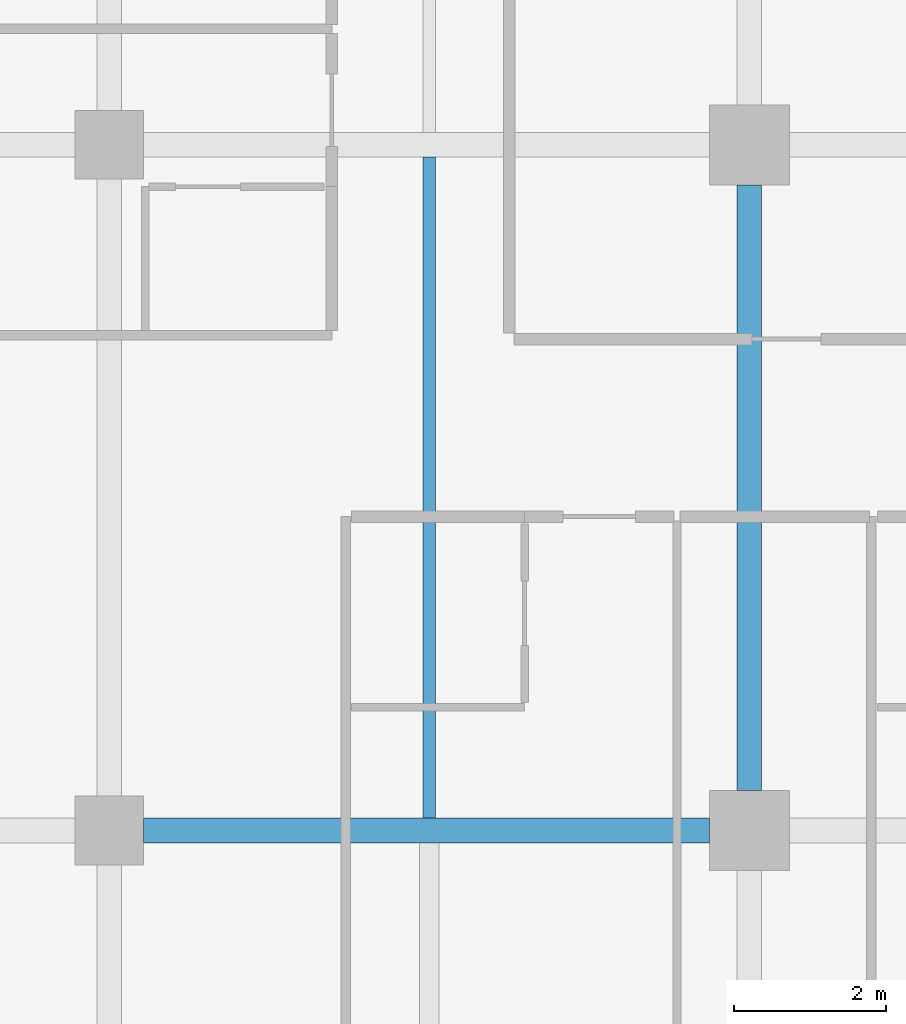
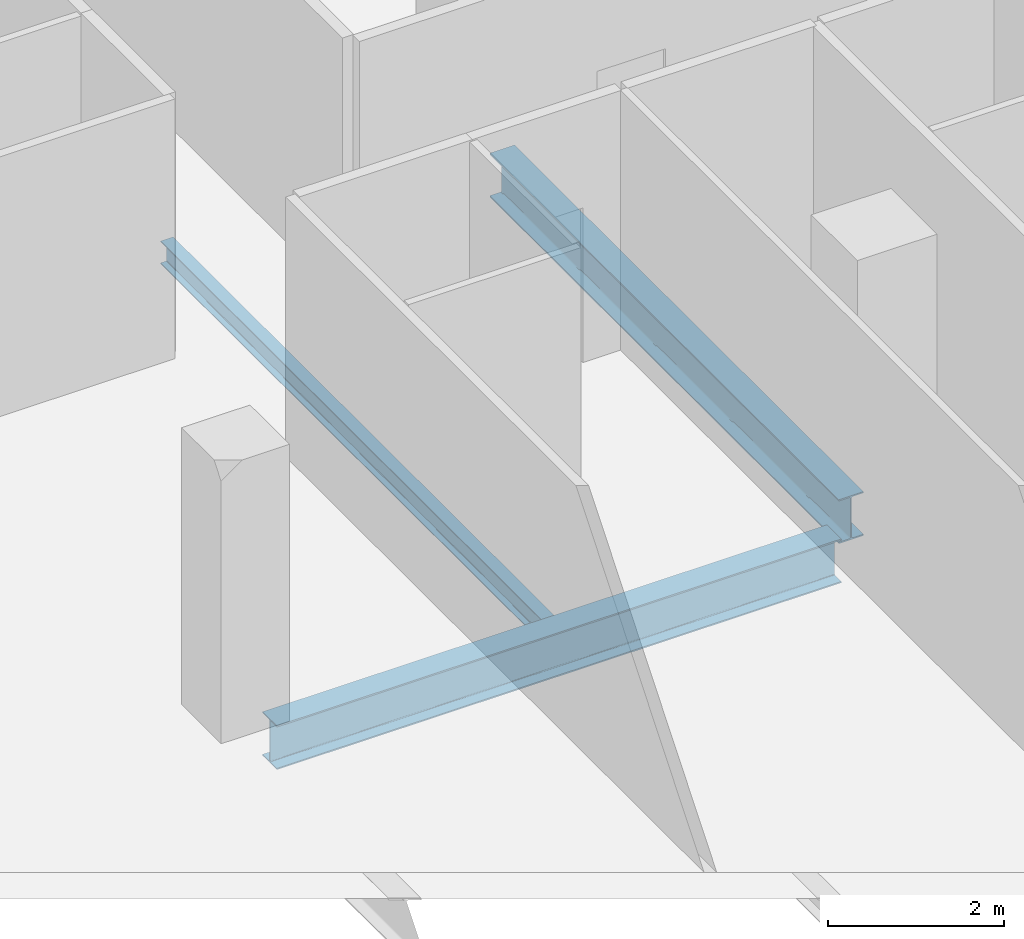
# One storey, part 6 of 40: 3 beams.
"""IFC4 building model written with IfcOpenShell, lengths in metres."""

from ifc_helpers import new_model, si_unit, direction, frame, origin, origin_2d, place, context, subcontext, project, spatial, i_section, extrude, material, material_profile, profile_set, type_object, element, save


model = new_model("IFC4")

# Units and contexts
model_context = context("Model", 3, precision=1e-05, world=origin(), true_north=direction((0.0, 1.0)))
body_context = subcontext(model_context, "Body", "Model", "MODEL_VIEW")
ifc_project = project(units=[si_unit("LENGTHUNIT", "METRE"), si_unit("AREAUNIT", "SQUARE_METRE"), si_unit("VOLUMEUNIT", "CUBIC_METRE"), si_unit("PLANEANGLEUNIT", "RADIAN"), si_unit("MASSUNIT", "GRAM", prefix="KILO")], contexts=[model_context])

# Site, building, storey
site_placement = place(None, origin())
site = spatial("IfcSite", under=ifc_project, at=site_placement, CompositionType="ELEMENT")
building_placement = place(site_placement, origin())
building = spatial("IfcBuilding", under=site, at=building_placement, Name="Maruvema Waterfront Hotel and Observation Tower", CompositionType="ELEMENT")
storey_placement = place(building_placement, frame((0.0, 0.0, 77.0)))
storey = spatial("IfcBuildingStorey", under=building, at=storey_placement, Name="L18", CompositionType="ELEMENT", Elevation=77.0)

# Beams
ifc_material_1 = material(Name="Steel ASTM A572 Grade 50", Category="steel")
ifc_material_profile_1 = material_profile(ifc_material_1, i_section(OverallWidth=0.323974609375, OverallDepth=0.611083984375, WebThickness=0.0126953125, FlangeThickness=0.01904296875, FilletRadius=0.01806640625, at=origin_2d()), Name="W610x155.0")
ifc_profile_set_1 = profile_set([ifc_material_profile_1], Name="Steel ASTM A572 Grade 50")
beam_type_1 = type_object("IfcBeamType", Name="Primary Floor Girder W610x155.0", PredefinedType="BEAM", material=ifc_profile_set_1)
beam_1_placement = place(storey_placement, frame((17.25, 9.0, -0.54541015625), z_axis=(1.0, 0.0, 0.0), x_axis=(0.0, 1.0, 0.0)))
element("IfcBeam", 1, at=beam_1_placement, inside=storey, type_object=beam_type_1, Name="L18 Floor Girder EW-07", PredefinedType="BEAM", context=body_context, shape_type="SweptSolid", body=[
    extrude(i_section(OverallWidth=0.323974609375, OverallDepth=0.611083984375, WebThickness=0.0126953125, FlangeThickness=0.01904296875, FilletRadius=0.01806640625, at=origin_2d()), origin(), (0.0, 0.0, 1.0), 7.425048828125),
])
beam_2_placement = place(storey_placement, frame((25.199951171875, 9.52490234375, -0.54541015625), z_axis=(0.0, 1.0, 0.0), x_axis=(-1.0, 0.0, 0.0)))
element("IfcBeam", 2, at=beam_2_placement, inside=storey, type_object=beam_type_1, Name="L18 Floor Girder NS-12", PredefinedType="BEAM", context=body_context, shape_type="SweptSolid", body=[
    extrude(i_section(OverallWidth=0.323974609375, OverallDepth=0.611083984375, WebThickness=0.0126953125, FlangeThickness=0.01904296875, FilletRadius=0.01806640625, at=origin_2d()), origin(), (0.0, 0.0, 1.0), 7.9501953125),
])
ifc_material_2 = material(Name="Steel ASTM A572 Grade 50", Category="steel")
ifc_material_profile_2 = material_profile(ifc_material_2, i_section(OverallWidth=0.1669921875, OverallDepth=0.31689453125, WebThickness=0.007568359375, FlangeThickness=0.01318359375, FilletRadius=0.012939453125, at=origin_2d()), Name="W310x52.0")
ifc_profile_set_2 = profile_set([ifc_material_profile_2], Name="Steel ASTM A572 Grade 50")
beam_type_2 = type_object("IfcBeamType", Name="Secondary Floor Joist W310x52.0", PredefinedType="JOIST", material=ifc_profile_set_2)
beam_3_placement = place(storey_placement, frame((21.0, 9.162109375, -0.3984375), z_axis=(0.0, 1.0, 0.0), x_axis=(-1.0, 0.0, 0.0)))
element("IfcBeam", 3, at=beam_3_placement, inside=storey, type_object=beam_type_2, Name="L18 Secondary Floor Joist JS-06", PredefinedType="JOIST", context=body_context, shape_type="SweptSolid", body=[
    extrude(i_section(OverallWidth=0.1669921875, OverallDepth=0.31689453125, WebThickness=0.007568359375, FlangeThickness=0.01318359375, FilletRadius=0.012939453125, at=origin_2d()), origin(), (0.0, 0.0, 1.0), 8.67578125),
])

save(model, "model.ifc")
